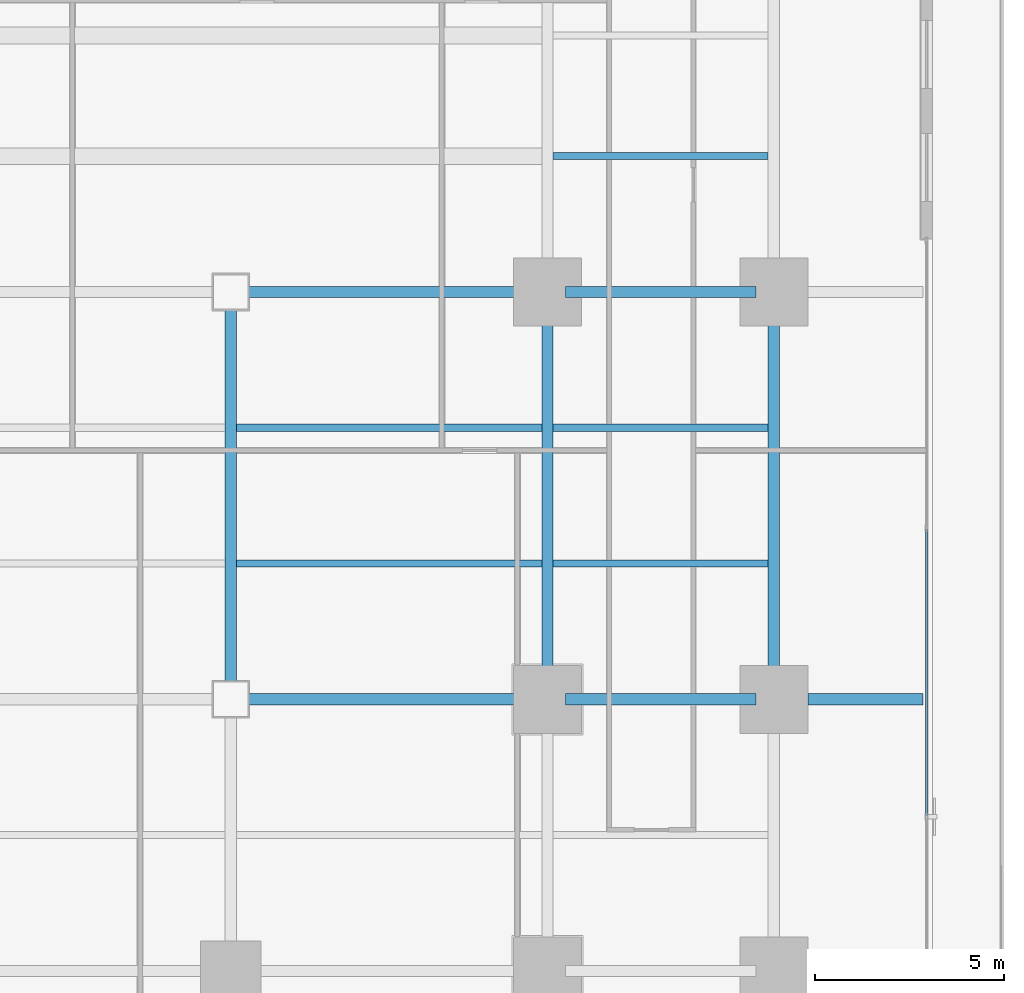
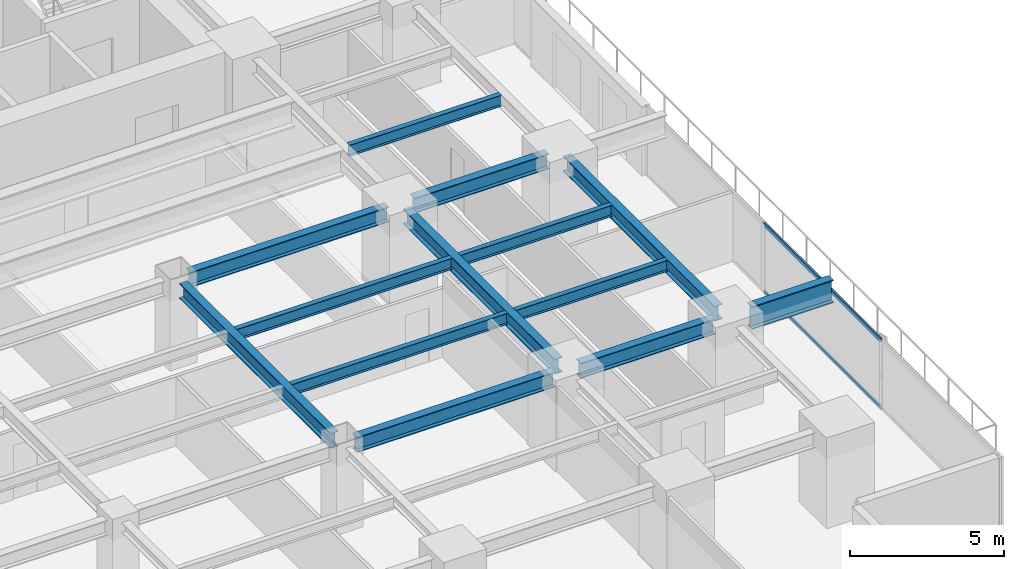
# One storey, part 14 of 33: 13 beams, 2 members, 1 element without a shape of its own.
"""IFC4 building model written with IfcOpenShell, lengths in metres."""

from ifc_helpers import new_model, si_unit, direction, frame, origin, origin_2d, place, context, subcontext, project, spatial, hollow_rectangle, i_section, extrude, source, transform, mapped, material, layer, layer_set, material_profile, profile_set, type_object, element, aggregate, save


model = new_model("IFC4")

# Units and contexts
model_context = context("Model", 3, precision=1e-05, world=origin(), true_north=direction((0.0, 1.0)))
body_context = subcontext(model_context, "Body", "Model", "MODEL_VIEW")
ifc_project = project(units=[si_unit("LENGTHUNIT", "METRE"), si_unit("AREAUNIT", "SQUARE_METRE"), si_unit("VOLUMEUNIT", "CUBIC_METRE"), si_unit("PLANEANGLEUNIT", "RADIAN"), si_unit("MASSUNIT", "GRAM", prefix="KILO")], contexts=[model_context])

# Site, building, storey
site_placement = place(None, origin())
site = spatial("IfcSite", under=ifc_project, at=site_placement, CompositionType="ELEMENT")
building_placement = place(site_placement, origin())
building = spatial("IfcBuilding", under=site, at=building_placement, Name="Sumidabori Civic Tower", CompositionType="ELEMENT")
storey_placement = place(building_placement, frame((0.0, 0.0, 23.60009765625)))
storey = spatial("IfcBuildingStorey", under=building, at=storey_placement, Name="L05", CompositionType="ELEMENT", Elevation=23.60009765625)

# Beams
ifc_material_1 = material(Name="Steel SN490", Category="steel")
ifc_material_profile_1 = material_profile(ifc_material_1, i_section(OverallWidth=0.300048828125, OverallDepth=0.60009765625, WebThickness=0.015380859375, FlangeThickness=0.030029296875, at=origin_2d()), Name="HE 600 B")
ifc_profile_set_1 = profile_set([ifc_material_profile_1], Name="Steel SN490")
beam_type_1 = type_object("IfcBeamType", Name="BM-GIRD-600", PredefinedType="BEAM", material=ifc_profile_set_1)
shared_shape_1 = source(origin(), body_context, "Body", "SweptSolid", [
    extrude(i_section(OverallWidth=0.300048828125, OverallDepth=0.60009765625, WebThickness=0.015380859375, FlangeThickness=0.030029296875, at=origin_2d()), origin(), (0.0, 0.0, 1.0), 5.0400390625),
])
for number, where, z_axis, x_axis, name in (
    (1, (17.280029296875, -10.800048828125, 3.059814453125), (1.0, 0.0, 0.0), (0.0, 1.0, 0.0), "Primary Girder L05 GX-12"),
    (2, (17.280029296875, 0.0, 3.059814453125), (1.0, 0.0, 0.0), (0.0, 1.0, 0.0), "Primary Girder L05 GX-18"),
):
    element("IfcBeam", number, at=place(storey_placement, frame(where, z_axis=z_axis, x_axis=x_axis)), inside=storey, type_object=beam_type_1, Name=name, PredefinedType="BEAM", context=body_context, shape_type="MappedRepresentation", body=[
        mapped(shared_shape_1, transform((0.0, 0.0, 0.0), x_axis=(1.0, 0.0, 0.0), y_axis=(0.0, 1.0, 0.0), z_axis=(0.0, 0.0, 1.0), scale=1.0)),
    ])
shared_shape_2 = source(origin(), body_context, "Body", "SweptSolid", [
    extrude(i_section(OverallWidth=0.300048828125, OverallDepth=0.60009765625, WebThickness=0.015380859375, FlangeThickness=0.030029296875, at=origin_2d()), origin(), (0.0, 0.0, 1.0), 7.440185546875),
])
for number, where, z_axis, x_axis, name in (
    (3, (8.8798828125, -10.800048828125, 3.059814453125), (1.0, 0.0, 0.0), (0.0, 1.0, 0.0), "Primary Girder L05 GX-11"),
    (4, (8.8798828125, 0.0, 3.059814453125), (1.0, 0.0, 0.0), (0.0, 1.0, 0.0), "Primary Girder L05 GX-17"),
):
    element("IfcBeam", number, at=place(storey_placement, frame(where, z_axis=z_axis, x_axis=x_axis)), inside=storey, type_object=beam_type_1, Name=name, PredefinedType="BEAM", context=body_context, shape_type="MappedRepresentation", body=[
        mapped(shared_shape_2, transform((0.0, 0.0, 0.0), x_axis=(1.0, 0.0, 0.0), y_axis=(0.0, 1.0, 0.0), z_axis=(0.0, 0.0, 1.0), scale=1.0)),
    ])
shared_shape_3 = source(origin(), body_context, "Body", "SweptSolid", [
    extrude(i_section(OverallWidth=0.300048828125, OverallDepth=0.60009765625, WebThickness=0.015380859375, FlangeThickness=0.030029296875, at=origin_2d()), origin(), (0.0, 0.0, 1.0), 9.840087890625),
])
for number, where, z_axis, x_axis, name in (
    (5, (8.39990234375, -10.320068359375, 3.059814453125), (0.0, 1.0, 0.0), (-1.0, 0.0, 0.0), "Primary Girder L05 GY-34"),
    (6, (16.800048828125, -10.320068359375, 3.059814453125), (0.0, 1.0, 0.0), (-1.0, 0.0, 0.0), "Primary Girder L05 GY-36"),
    (7, (22.800048828125, -10.320068359375, 3.059814453125), (0.0, 1.0, 0.0), (-1.0, 0.0, 0.0), "Primary Girder L05 GY-40"),
):
    element("IfcBeam", number, at=place(storey_placement, frame(where, z_axis=z_axis, x_axis=x_axis)), inside=storey, type_object=beam_type_1, Name=name, PredefinedType="BEAM", context=body_context, shape_type="MappedRepresentation", body=[
        mapped(shared_shape_3, transform((0.0, 0.0, 0.0), x_axis=(1.0, 0.0, 0.0), y_axis=(0.0, 1.0, 0.0), z_axis=(0.0, 0.0, 1.0), scale=1.0)),
    ])
ifc_material_profile_2 = material_profile(ifc_material_1, i_section(OverallWidth=0.302001953125, OverallDepth=0.909912109375, WebThickness=0.02099609375, FlangeThickness=0.0400390625, at=origin_2d()), Name="HE 900 M")
ifc_profile_set_2 = profile_set([ifc_material_profile_2], Name="Steel SN490")
beam_type_2 = type_object("IfcBeamType", Name="BM-Z1-EDGE", PredefinedType="SPANDREL", material=ifc_profile_set_2)
shared_shape_4 = source(origin(), body_context, "Body", "SweptSolid", [
    extrude(i_section(OverallWidth=0.302001953125, OverallDepth=0.909912109375, WebThickness=0.02099609375, FlangeThickness=0.0400390625, at=origin_2d()), origin(), (0.0, 0.0, 1.0), 3.050048828125),
])
beam_placement = place(storey_placement, frame((23.699951171875, -10.800048828125, 2.90478515625), z_axis=(1.0, 0.0, 0.0), x_axis=(0.0, 1.0, 0.0)))
element("IfcBeam", 8, at=beam_placement, inside=storey, type_object=beam_type_2, Name="Perimeter Overhang Beam L05 E-43", PredefinedType="SPANDREL", context=body_context, shape_type="MappedRepresentation", body=[
    mapped(shared_shape_4, transform((0.0, 0.0, 0.0), x_axis=(1.0, 0.0, 0.0), y_axis=(0.0, 1.0, 0.0), z_axis=(0.0, 0.0, 1.0), scale=1.0)),
])
ifc_material_profile_3 = material_profile(ifc_material_1, i_section(OverallWidth=0.18994140625, OverallDepth=0.449951171875, WebThickness=0.009521484375, FlangeThickness=0.0146484375, at=origin_2d()), Name="IPE 450")
ifc_profile_set_3 = profile_set([ifc_material_profile_3], Name="Steel SN490")
beam_type_3 = type_object("IfcBeamType", Name="BM-JST-450", PredefinedType="JOIST", material=ifc_profile_set_3)
shared_shape_5 = source(origin(), body_context, "Body", "SweptSolid", [
    extrude(i_section(OverallWidth=0.18994140625, OverallDepth=0.449951171875, WebThickness=0.009521484375, FlangeThickness=0.0146484375, at=origin_2d()), origin(), (0.0, 0.0, 1.0), 5.699951171875),
])
for number, where, z_axis, x_axis, name in (
    (9, (16.949951171875, -7.199951171875, 3.135009765625), (1.0, 0.0, 0.0), (0.0, 1.0, 0.0), "Outer Bay Floor Joist L05 JSTO-50"),
    (10, (16.949951171875, -3.60009765625, 3.135009765625), (1.0, 0.0, 0.0), (0.0, 1.0, 0.0), "Outer Bay Floor Joist L05 JSTO-52"),
    (11, (16.949951171875, 3.60009765625, 3.135009765625), (1.0, 0.0, 0.0), (0.0, 1.0, 0.0), "Outer Bay Floor Joist L05 JSTO-54"),
):
    element("IfcBeam", number, at=place(storey_placement, frame(where, z_axis=z_axis, x_axis=x_axis)), inside=storey, type_object=beam_type_3, Name=name, PredefinedType="JOIST", context=body_context, shape_type="MappedRepresentation", body=[
        mapped(shared_shape_5, transform((0.0, 0.0, 0.0), x_axis=(1.0, 0.0, 0.0), y_axis=(0.0, 1.0, 0.0), z_axis=(0.0, 0.0, 1.0), scale=1.0)),
    ])
shared_shape_6 = source(origin(), body_context, "Body", "SweptSolid", [
    extrude(i_section(OverallWidth=0.18994140625, OverallDepth=0.449951171875, WebThickness=0.009521484375, FlangeThickness=0.0146484375, at=origin_2d()), origin(), (0.0, 0.0, 1.0), 8.099853515625),
])
for number, where, z_axis, x_axis, name in (
    (12, (8.550048828125, -7.199951171875, 3.135009765625), (1.0, 0.0, 0.0), (0.0, 1.0, 0.0), "South Bay Floor Joist L05 JSTS-68"),
    (13, (8.550048828125, -3.60009765625, 3.135009765625), (1.0, 0.0, 0.0), (0.0, 1.0, 0.0), "South Bay Floor Joist L05 JSTS-72"),
):
    element("IfcBeam", number, at=place(storey_placement, frame(where, z_axis=z_axis, x_axis=x_axis)), inside=storey, type_object=beam_type_3, Name=name, PredefinedType="JOIST", context=body_context, shape_type="MappedRepresentation", body=[
        mapped(shared_shape_6, transform((0.0, 0.0, 0.0), x_axis=(1.0, 0.0, 0.0), y_axis=(0.0, 1.0, 0.0), z_axis=(0.0, 0.0, 1.0), scale=1.0)),
    ])

# Curtain wall, members
ifc_material_2 = material(Name="Anodised Bronze Aluminium AW-6063-T6", Category="aluminium")
ifc_layer = layer(ifc_material_2, 0.179931640625, Name="Anodised Bronze Aluminium AW-6063-T6")
ifc_layer_set = layer_set([ifc_layer], Name="Anodised Bronze Aluminium AW-6063-T6")
curtain_wall_type = type_object("IfcCurtainWallType", Name="CW-SYS-2", PredefinedType="NOTDEFINED", material=ifc_layer_set)
curtain_wall_placement = place(storey_placement, origin())
curtain_wall = element("IfcCurtainWall", 14, at=curtain_wall_placement, inside=storey, type_object=curtain_wall_type, Name="Curtain Wall CW:L05:R04", PredefinedType="NOTDEFINED")
ifc_material_profile_4 = material_profile(ifc_material_2, hollow_rectangle(XDim=0.06494140625, YDim=0.14990234375, WallThickness=0.0048828125, at=origin_2d()), Name="ALU TRANSOM 150x65")
ifc_profile_set_4 = profile_set([ifc_material_profile_4], Name="Anodised Bronze Aluminium AW-6063-T6")
member_type = type_object("IfcMemberType", Name="CW-TRN-150", PredefinedType="USERDEFINED", material=ifc_profile_set_4)
shared_shape_7 = source(origin(), body_context, "Body", "SweptSolid", [
    extrude(hollow_rectangle(XDim=0.06494140625, YDim=0.14990234375, WallThickness=0.0048828125, at=origin_2d()), origin(), (0.0, 0.0, 1.0), 7.586669921875),
])
member_1_placement = place(storey_placement, frame((26.85009765625, -13.87841796875, 0.032470703125), z_axis=(0.0, 1.0, 0.0), x_axis=(-1.0, 0.0, 0.0)))
member_1 = element("IfcMember", 15, at=member_1_placement, type_object=member_type, Name="CW-2 transom 2.1", ObjectType="TRANSOM", PredefinedType="USERDEFINED", context=body_context, shape_type="MappedRepresentation", body=[
    mapped(shared_shape_7, transform((0.0, 0.0, 0.0), x_axis=(1.0, 0.0, 0.0), y_axis=(0.0, 1.0, 0.0), z_axis=(0.0, 0.0, 1.0), scale=1.0)),
])
member_2_placement = place(storey_placement, frame((26.85009765625, -13.87841796875, 2.70751953125), z_axis=(0.0, 1.0, 0.0), x_axis=(-1.0, 0.0, 0.0)))
member_2 = element("IfcMember", 16, at=member_2_placement, type_object=member_type, Name="CW-2 transom 2.2", ObjectType="TRANSOM", PredefinedType="USERDEFINED", context=body_context, shape_type="MappedRepresentation", body=[
    mapped(shared_shape_7, transform((0.0, 0.0, 0.0), x_axis=(1.0, 0.0, 0.0), y_axis=(0.0, 1.0, 0.0), z_axis=(0.0, 0.0, 1.0), scale=1.0)),
])
aggregate(curtain_wall, [member_1, member_2])

save(model, "model.ifc")
